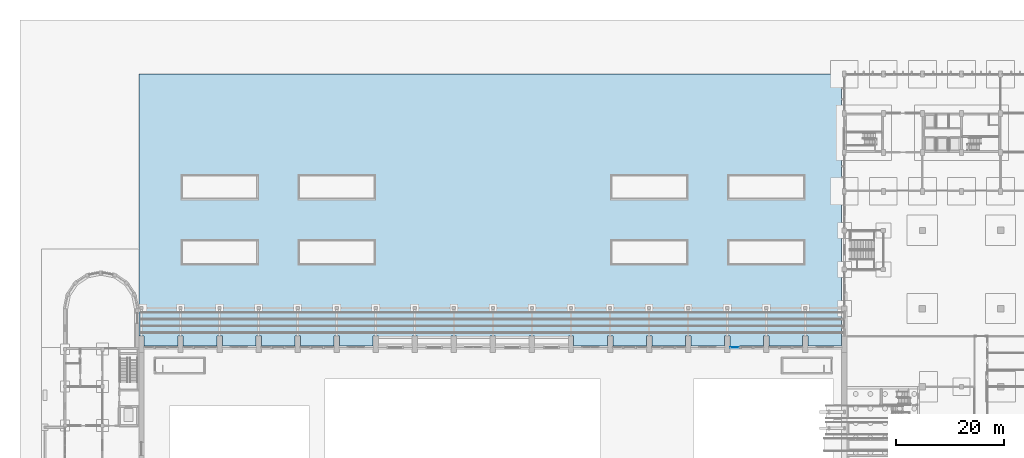
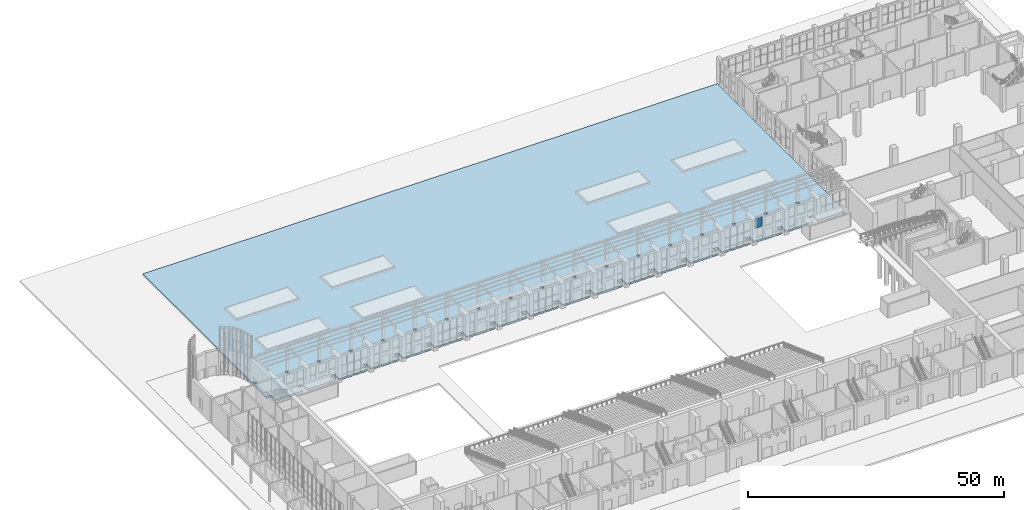
# One storey, part 34 of 70: 1 plate, 1 slab, 1 element without a shape of its own.
"""IFC4 building model written with IfcOpenShell, lengths in metres."""

from ifc_helpers import new_model, si_unit, direction, frame, origin, origin_2d, place, context, subcontext, project, spatial, polyline, rectangle, outline, extrude, material, layer, layer_set, type_object, element, aggregate, save


model = new_model("IFC4")

# Units and contexts
model_context = context("Model", 3, precision=1e-05, world=origin(), true_north=direction((0.0, 1.0)))
body_context = subcontext(model_context, "Body", "Model", "MODEL_VIEW")
ifc_project = project(units=[si_unit("LENGTHUNIT", "METRE"), si_unit("AREAUNIT", "SQUARE_METRE"), si_unit("VOLUMEUNIT", "CUBIC_METRE"), si_unit("PLANEANGLEUNIT", "RADIAN"), si_unit("MASSUNIT", "GRAM", prefix="KILO")], contexts=[model_context])

# Site, building, storey
site_placement = place(None, origin())
site = spatial("IfcSite", under=ifc_project, at=site_placement, CompositionType="ELEMENT")
building_placement = place(site_placement, origin())
building = spatial("IfcBuilding", under=site, at=building_placement, Name="Vermilion Court Aquatics Centre", CompositionType="ELEMENT")
storey_placement = place(building_placement, origin())
storey = spatial("IfcBuildingStorey", under=building, at=storey_placement, Name="L00", CompositionType="ELEMENT", Elevation=0.0)

# Slab
ifc_material_1 = material(Name="Concrete 4000 psi", Category="concrete")
ifc_layer_1 = layer(ifc_material_1, 0.449951171875)
ifc_layer_set_1 = layer_set([ifc_layer_1], Name="Envelope court paving slab 450")
slab_type = type_object("IfcSlabType", Name="Envelope court paving slab 450", PredefinedType="FLOOR", material=ifc_layer_set_1)
slab_placement = place(storey_placement, frame((0.0, 0.0, -0.449951171875)))
element("IfcSlab", 1, at=slab_placement, inside=storey, type_object=slab_type, Name="Court paving", PredefinedType="FLOOR", context=body_context, shape_type="SweptSolid", body=[
    extrude(outline(polyline([(143.5, 65.050048828125), (137.300048828125, 65.050048828125), (137.300048828125, 66.89990234375), (136.300048828125, 66.89990234375), (136.300048828125, 65.050048828125), (130.10009765625, 65.050048828125), (130.10009765625, 66.89990234375), (129.10009765625, 66.89990234375), (129.10009765625, 65.050048828125), (122.89990234375, 65.050048828125), (122.89990234375, 66.89990234375), (121.89990234375, 66.89990234375), (121.89990234375, 65.050048828125), (115.699951171875, 65.050048828125), (115.699951171875, 66.89990234375), (114.699951171875, 66.89990234375), (114.699951171875, 65.050048828125), (108.5, 65.050048828125), (108.5, 66.89990234375), (107.5, 66.89990234375), (107.5, 65.050048828125), (101.300048828125, 65.050048828125), (101.300048828125, 66.89990234375), (100.300048828125, 66.89990234375), (100.300048828125, 65.050048828125), (94.10009765625, 65.050048828125), (94.10009765625, 66.89990234375), (93.10009765625, 66.89990234375), (93.10009765625, 65.050048828125), (86.89990234375, 65.050048828125), (86.89990234375, 66.89990234375), (85.89990234375, 66.89990234375), (85.89990234375, 65.050048828125), (79.699951171875, 65.050048828125), (79.699951171875, 66.89990234375), (78.699951171875, 66.89990234375), (78.699951171875, 65.050048828125), (72.5, 65.050048828125), (72.5, 66.89990234375), (71.5, 66.89990234375), (71.5, 65.050048828125), (65.300048828125, 65.050048828125), (65.300048828125, 66.89990234375), (64.300048828125, 66.89990234375), (64.300048828125, 65.050048828125), (58.10009765625, 65.050048828125), (58.10009765625, 66.89990234375), (57.10009765625, 66.89990234375), (57.10009765625, 65.050048828125), (50.89990234375, 65.050048828125), (50.89990234375, 66.89990234375), (49.89990234375, 66.89990234375), (49.89990234375, 65.050048828125), (43.699951171875, 65.050048828125), (43.699951171875, 66.89990234375), (42.699951171875, 66.89990234375), (42.699951171875, 65.050048828125), (36.5, 65.050048828125), (36.5, 66.89990234375), (35.5, 66.89990234375), (35.5, 65.050048828125), (29.300048828125, 65.050048828125), (29.300048828125, 66.89990234375), (28.300048828125, 66.89990234375), (28.300048828125, 65.050048828125), (22.10009765625, 65.050048828125), (22.10009765625, 66.89990234375), (21.10009765625, 66.89990234375), (21.10009765625, 65.050048828125), (14.89990234375, 65.050048828125), (14.89990234375, 66.89990234375), (13.89990234375, 66.89990234375), (13.89990234375, 115.199951171875), (143.5, 115.199951171875), (143.5, 66.89990234375), (143.5, 65.050048828125)]), holes=[polyline([(79.5, 71.800048828125), (79.5, 72.39990234375), (78.89990234375, 72.39990234375), (78.89990234375, 71.800048828125), (79.5, 71.800048828125)]), polyline([(14.699951171875, 71.800048828125), (14.699951171875, 72.39990234375), (14.10009765625, 72.39990234375), (14.10009765625, 71.800048828125), (14.699951171875, 71.800048828125)]), polyline([(72.300048828125, 71.800048828125), (72.300048828125, 72.39990234375), (71.699951171875, 72.39990234375), (71.699951171875, 71.800048828125), (72.300048828125, 71.800048828125)]), polyline([(65.10009765625, 71.800048828125), (65.10009765625, 72.39990234375), (64.5, 72.39990234375), (64.5, 71.800048828125), (65.10009765625, 71.800048828125)]), polyline([(57.89990234375, 71.800048828125), (57.89990234375, 72.39990234375), (57.300048828125, 72.39990234375), (57.300048828125, 71.800048828125), (57.89990234375, 71.800048828125)]), polyline([(50.699951171875, 71.800048828125), (50.699951171875, 72.39990234375), (50.10009765625, 72.39990234375), (50.10009765625, 71.800048828125), (50.699951171875, 71.800048828125)]), polyline([(43.5, 71.800048828125), (43.5, 72.39990234375), (42.89990234375, 72.39990234375), (42.89990234375, 71.800048828125), (43.5, 71.800048828125)]), polyline([(35.699951171875, 71.800048828125), (36.300048828125, 71.800048828125), (36.300048828125, 72.39990234375), (35.699951171875, 72.39990234375), (35.699951171875, 71.800048828125)]), polyline([(28.5, 71.800048828125), (29.10009765625, 71.800048828125), (29.10009765625, 72.39990234375), (28.5, 72.39990234375), (28.5, 71.800048828125)]), polyline([(21.89990234375, 71.800048828125), (21.89990234375, 72.39990234375), (21.300048828125, 72.39990234375), (21.300048828125, 71.800048828125), (21.89990234375, 71.800048828125)]), polyline([(101.10009765625, 71.800048828125), (101.10009765625, 72.39990234375), (100.5, 72.39990234375), (100.5, 71.800048828125), (101.10009765625, 71.800048828125)]), polyline([(107.699951171875, 71.800048828125), (108.300048828125, 71.800048828125), (108.300048828125, 72.39990234375), (107.699951171875, 72.39990234375), (107.699951171875, 71.800048828125)]), polyline([(114.89990234375, 71.800048828125), (115.5, 71.800048828125), (115.5, 72.39990234375), (114.89990234375, 72.39990234375), (114.89990234375, 71.800048828125)]), polyline([(122.699951171875, 71.800048828125), (122.699951171875, 72.39990234375), (122.10009765625, 72.39990234375), (122.10009765625, 71.800048828125), (122.699951171875, 71.800048828125)]), polyline([(129.89990234375, 71.800048828125), (129.89990234375, 72.39990234375), (129.300048828125, 72.39990234375), (129.300048828125, 71.800048828125), (129.89990234375, 71.800048828125)]), polyline([(93.89990234375, 71.800048828125), (93.89990234375, 72.39990234375), (93.300048828125, 72.39990234375), (93.300048828125, 71.800048828125), (93.89990234375, 71.800048828125)]), polyline([(136.5, 71.800048828125), (137.10009765625, 71.800048828125), (137.10009765625, 72.39990234375), (136.5, 72.39990234375), (136.5, 71.800048828125)]), polyline([(86.10009765625, 71.800048828125), (86.699951171875, 71.800048828125), (86.699951171875, 72.39990234375), (86.10009765625, 72.39990234375), (86.10009765625, 71.800048828125)])]), origin(), (0.0, 0.0, 1.0), 0.449951171875),
])

# Curtain wall, plate
ifc_material_2 = material(Name="Aluminium 6063-T5", Category="aluminium")
curtain_wall_type = type_object("IfcCurtainWallType", Name="Envelope curtain wall hall glazing L00", PredefinedType="NOTDEFINED", material=ifc_material_2)
curtain_wall_placement = place(storey_placement, origin())
curtain_wall = element("IfcCurtainWall", 2, at=curtain_wall_placement, inside=storey, type_object=curtain_wall_type, Name="Hall entrance sidelight bay 16 L00 W", PredefinedType="NOTDEFINED")
ifc_material_3 = material(Name="Glazing", Category="glass")
ifc_layer_2 = layer(ifc_material_3, 0.028076171875)
ifc_layer_set_2 = layer_set([ifc_layer_2], Name="Envelope insulated glazing panel 28")
plate_type = type_object("IfcPlateType", Name="Envelope insulated glazing panel 28", PredefinedType="CURTAIN_PANEL", material=ifc_layer_set_2)
plate_placement = place(storey_placement, frame((123.75, 64.800048828125, 3.22998046875), z_axis=(0.0, 0.0, 1.0), x_axis=(1.0, 0.0, 0.0)))
plate = element("IfcPlate", 3, at=plate_placement, type_object=plate_type, Name="ECW1 panel 1.3", PredefinedType="CURTAIN_PANEL", context=body_context, shape_type="SweptSolid", body=[
    extrude(rectangle(XDim=1.580078125, YDim=0.028076171875, at=origin_2d()), origin(), (0.0, 0.0, 1.0), 2.260009765625),
])
aggregate(curtain_wall, [plate])

save(model, "model.ifc")
